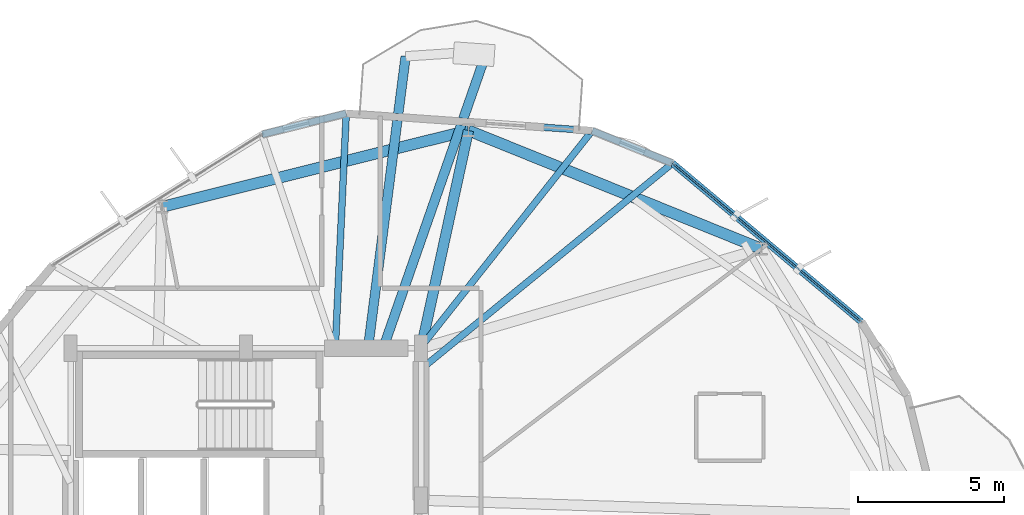
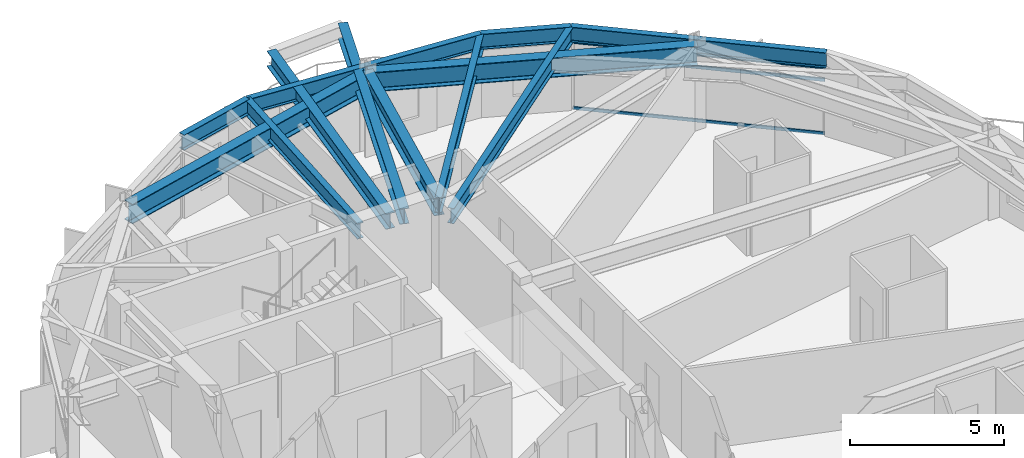
# One storey, part 13 of 22: 12 beams, 3 members, 1 element without a shape of its own.
"""IFC4 building model written with IfcOpenShell, lengths in metres."""

from ifc_helpers import new_model, si_unit, direction, frame, origin, origin_2d, place, context, subcontext, project, spatial, hollow_rectangle, i_section, extrude, material, layer, layer_set, material_profile, profile_set, type_object, element, aggregate, save


model = new_model("IFC4")

# Units and contexts
model_context = context("Model", 3, precision=1e-05, world=origin(), true_north=direction((0.0, 1.0)))
body_context = subcontext(model_context, "Body", "Model", "MODEL_VIEW")
ifc_project = project(units=[si_unit("LENGTHUNIT", "METRE"), si_unit("AREAUNIT", "SQUARE_METRE"), si_unit("VOLUMEUNIT", "CUBIC_METRE"), si_unit("PLANEANGLEUNIT", "RADIAN"), si_unit("MASSUNIT", "GRAM", prefix="KILO")], contexts=[model_context])

# Site, building, storey
site_placement = place(None, origin())
site = spatial("IfcSite", under=ifc_project, at=site_placement, CompositionType="ELEMENT")
building_placement = place(site_placement, origin())
building = spatial("IfcBuilding", under=site, at=building_placement, Name="Soratama Intermodal Tower", CompositionType="ELEMENT")
storey_placement = place(building_placement, frame((0.0, 0.0, 157.0)))
storey = spatial("IfcBuildingStorey", under=building, at=storey_placement, Name="L38", CompositionType="ELEMENT", Elevation=157.0)

# Beams
ifc_material_1 = material(Name="Structural steel ASTM A992 Grade 50", Category="steel")
ifc_material_profile_1 = material_profile(ifc_material_1, i_section(OverallWidth=0.324951171875, OverallDepth=0.615966796875, WebThickness=0.013916015625, FlangeThickness=0.021484375, FilletRadius=0.013916015625, at=origin_2d()), Name="W24X117")
ifc_profile_set_1 = profile_set([ifc_material_profile_1], Name="Structural steel ASTM A992 Grade 50")
beam_type_1 = type_object("IfcBeamType", Name="BM-CANT-W24X117", PredefinedType="BEAM", material=ifc_profile_set_1)
beam_1_placement = place(storey_placement, frame((43.31298828125, 35.0380859375, 2.991943359375), z_axis=(0.329715628572, 0.94408029546, 0.0), x_axis=(-0.94408029546, 0.329715628572, 0.0)))
element("IfcBeam", 1, at=beam_1_placement, inside=storey, type_object=beam_type_1, Name="BM-L38-CANT-1-1", PredefinedType="BEAM", context=body_context, shape_type="SweptSolid", body=[
    extrude(i_section(OverallWidth=0.324951171875, OverallDepth=0.615966796875, WebThickness=0.013916015625, FlangeThickness=0.021484375, FilletRadius=0.013916015625, at=origin_2d()), origin(), (0.0, 0.0, 1.0), 10.74267578125),
])
beam_2_placement = place(storey_placement, frame((42.7880859375, 35.0400390625, 2.991943359375), z_axis=(0.127817754679, 0.9917976717, 0.0), x_axis=(-0.9917976717, 0.127817754679, 0.0)))
element("IfcBeam", 2, at=beam_2_placement, inside=storey, type_object=beam_type_1, Name="BM-L38-CANT-1-2", PredefinedType="BEAM", context=body_context, shape_type="SweptSolid", body=[
    extrude(i_section(OverallWidth=0.324951171875, OverallDepth=0.615966796875, WebThickness=0.013916015625, FlangeThickness=0.021484375, FilletRadius=0.013916015625, at=origin_2d()), origin(), (0.0, 0.0, 1.0), 10.037353515625),
])
ifc_material_2 = material(Name="Structural steel ASTM A992 Grade 50", Category="steel")
ifc_material_profile_2 = material_profile(ifc_material_2, i_section(OverallWidth=0.35498046875, OverallDepth=0.695068359375, WebThickness=0.015380859375, FlangeThickness=0.02490234375, FilletRadius=0.01611328125, at=origin_2d()), Name="W27X146")
ifc_profile_set_2 = profile_set([ifc_material_profile_2], Name="Structural steel ASTM A992 Grade 50")
beam_type_2 = type_object("IfcBeamType", Name="BM-RING-W27X146", PredefinedType="BEAM", material=ifc_profile_set_2)
beam_3_placement = place(storey_placement, frame((44.60009765625, 35.0, 2.952392578125), z_axis=(0.212399095304, 0.977183004515, 0.0), x_axis=(-0.977183004515, 0.212399095304, 0.0)))
element("IfcBeam", 3, at=beam_3_placement, inside=storey, type_object=beam_type_2, Name="BM-L38-RAD-03", PredefinedType="BEAM", context=body_context, shape_type="SweptSolid", body=[
    extrude(i_section(OverallWidth=0.35498046875, OverallDepth=0.695068359375, WebThickness=0.015380859375, FlangeThickness=0.02490234375, FilletRadius=0.01611328125, at=origin_2d()), origin(), (0.0, 0.0, 1.0), 7.631103515625),
])
ifc_material_3 = material(Name="Structural steel ASTM A992 Grade 50", Category="steel")
ifc_material_profile_3 = material_profile(ifc_material_3, i_section(OverallWidth=0.382080078125, OverallDepth=0.779052734375, WebThickness=0.01806640625, FlangeThickness=0.030029296875, FilletRadius=0.01806640625, at=origin_2d()), Name="W30X191")
ifc_profile_set_3 = profile_set([ifc_material_profile_3], Name="Structural steel ASTM A992 Grade 50")
beam_type_3 = type_object("IfcBeamType", Name="BM-RING-W30X191", PredefinedType="BEAM", material=ifc_profile_set_3)
beam_4_placement = place(storey_placement, frame((56.2490234375, 38.406005859375, 2.910400390625), z_axis=(-0.927202491827, 0.374560461275, 0.0), x_axis=(-0.374560461275, -0.927202491827, 0.0)))
element("IfcBeam", 4, at=beam_4_placement, inside=storey, type_object=beam_type_3, Name="BM-L38-RING-02", PredefinedType="BEAM", context=body_context, shape_type="SweptSolid", body=[
    extrude(i_section(OverallWidth=0.382080078125, OverallDepth=0.779052734375, WebThickness=0.01806640625, FlangeThickness=0.030029296875, FilletRadius=0.01806640625, at=origin_2d()), origin(), (0.0, 0.0, 1.0), 10.8154296875),
])
beam_5_placement = place(storey_placement, frame((46.220947265625, 42.45703125, 2.910400390625), z_axis=(-0.970310893227, -0.241861056155, 0.0), x_axis=(0.241861056155, -0.970310893227, 0.0)))
element("IfcBeam", 5, at=beam_5_placement, inside=storey, type_object=beam_type_3, Name="BM-L38-RING-03", PredefinedType="BEAM", context=body_context, shape_type="SweptSolid", body=[
    extrude(i_section(OverallWidth=0.382080078125, OverallDepth=0.779052734375, WebThickness=0.01806640625, FlangeThickness=0.030029296875, FilletRadius=0.01806640625, at=origin_2d()), origin(), (0.0, 0.0, 1.0), 10.81591796875),
])
ifc_material_4 = material(Name="Structural steel ASTM A992 Grade 50", Category="steel")
ifc_material_profile_4 = material_profile(ifc_material_4, i_section(OverallWidth=0.22900390625, OverallDepth=0.612060546875, WebThickness=0.011962890625, FlangeThickness=0.01953125, FilletRadius=0.012939453125, at=origin_2d()), Name="W24X84")
ifc_profile_set_4 = profile_set([ifc_material_profile_4], Name="Structural steel ASTM A992 Grade 50")
beam_type_4 = type_object("IfcBeamType", Name="BM-SPN-W24X84", PredefinedType="SPANDREL", material=ifc_profile_set_4)
beam_6_placement = place(storey_placement, frame((59.6708984375, 35.908935546875, 2.993896484375), z_axis=(-0.765802292686, 0.643076082992, 0.0), x_axis=(-0.643076082992, -0.765802292686, 0.0)))
element("IfcBeam", 6, at=beam_6_placement, inside=storey, type_object=beam_type_4, Name="BS-L38-F01", PredefinedType="SPANDREL", context=body_context, shape_type="SweptSolid", body=[
    extrude(i_section(OverallWidth=0.22900390625, OverallDepth=0.612060546875, WebThickness=0.011962890625, FlangeThickness=0.01953125, FilletRadius=0.012939453125, at=origin_2d()), origin(), (0.0, 0.0, 1.0), 8.440673828125),
])
beam_7_placement = place(storey_placement, frame((53.20703125, 41.3369140625, 2.993896484375), z_axis=(-0.927068075429, 0.374893029437, 0.0), x_axis=(-0.374893029437, -0.927068075429, 0.0)))
element("IfcBeam", 7, at=beam_7_placement, inside=storey, type_object=beam_type_4, Name="BS-L38-CRN01", PredefinedType="SPANDREL", context=body_context, shape_type="SweptSolid", body=[
    extrude(i_section(OverallWidth=0.22900390625, OverallDepth=0.612060546875, WebThickness=0.011962890625, FlangeThickness=0.01953125, FilletRadius=0.012939453125, at=origin_2d()), origin(), (0.0, 0.0, 1.0), 2.96630859375),
])
beam_8_placement = place(storey_placement, frame((50.45703125, 42.448974609375, 2.993896484375), z_axis=(-0.9975370777, 0.070141133537, 0.0), x_axis=(-0.070141133537, -0.9975370777, 0.0)))
element("IfcBeam", 8, at=beam_8_placement, inside=storey, type_object=beam_type_4, Name="BS-L38-F02", PredefinedType="SPANDREL", context=body_context, shape_type="SweptSolid", body=[
    extrude(i_section(OverallWidth=0.22900390625, OverallDepth=0.612060546875, WebThickness=0.011962890625, FlangeThickness=0.01953125, FilletRadius=0.012939453125, at=origin_2d()), origin(), (0.0, 0.0, 1.0), 8.440673828125),
])
beam_9_placement = place(storey_placement, frame((42.037109375, 43.041015625, 2.993896484375), z_axis=(-0.9703599161, -0.241664298617, 0.0), x_axis=(0.241664298617, -0.9703599161, 0.0)))
element("IfcBeam", 9, at=beam_9_placement, inside=storey, type_object=beam_type_4, Name="BS-L38-CRN02", PredefinedType="SPANDREL", context=body_context, shape_type="SweptSolid", body=[
    extrude(i_section(OverallWidth=0.22900390625, OverallDepth=0.612060546875, WebThickness=0.011962890625, FlangeThickness=0.01953125, FilletRadius=0.012939453125, at=origin_2d()), origin(), (0.0, 0.0, 1.0), 2.967041015625),
])
ifc_material_5 = material(Name="Structural steel ASTM A992 Grade 50", Category="steel")
ifc_material_profile_5 = material_profile(ifc_material_5, i_section(OverallWidth=0.22900390625, OverallDepth=0.612060546875, WebThickness=0.011962890625, FlangeThickness=0.01953125, FilletRadius=0.012939453125, at=origin_2d()), Name="W24X84")
ifc_profile_set_5 = profile_set([ifc_material_profile_5], Name="Structural steel ASTM A992 Grade 50")
beam_type_5 = type_object("IfcBeamType", Name="BM-TIE-W24X84", PredefinedType="BEAM", material=ifc_profile_set_5)
beam_10_placement = place(storey_placement, frame((44.631103515625, 34.31103515625, 2.993896484375), z_axis=(0.773549959102, 0.633735323911, 0.0), x_axis=(-0.633735323911, 0.773549959102, 0.0)))
element("IfcBeam", 10, at=beam_10_placement, inside=storey, type_object=beam_type_5, Name="BM-L38-TIE1-01", PredefinedType="BEAM", context=body_context, shape_type="SweptSolid", body=[
    extrude(i_section(OverallWidth=0.22900390625, OverallDepth=0.612060546875, WebThickness=0.011962890625, FlangeThickness=0.01953125, FilletRadius=0.012939453125, at=origin_2d()), origin(), (0.0, 0.0, 1.0), 11.08642578125),
])
beam_11_placement = place(storey_placement, frame((44.5849609375, 35.031005859375, 2.993896484375), z_axis=(0.620671217274, 0.784070940698, 0.0), x_axis=(-0.784070940698, 0.620671217274, 0.0)))
element("IfcBeam", 11, at=beam_11_placement, inside=storey, type_object=beam_type_5, Name="BM-L38-TIE0-02", PredefinedType="BEAM", context=body_context, shape_type="SweptSolid", body=[
    extrude(i_section(OverallWidth=0.22900390625, OverallDepth=0.612060546875, WebThickness=0.011962890625, FlangeThickness=0.01953125, FilletRadius=0.012939453125, at=origin_2d()), origin(), (0.0, 0.0, 1.0), 9.4609375),
])
beam_12_placement = place(storey_placement, frame((41.6640625, 35.0400390625, 2.993896484375), z_axis=(0.046574570933, 0.998914815859, 0.0), x_axis=(-0.998914815859, 0.046574570933, 0.0)))
element("IfcBeam", 12, at=beam_12_placement, inside=storey, type_object=beam_type_5, Name="BM-L38-TIE1-02", PredefinedType="BEAM", context=body_context, shape_type="SweptSolid", body=[
    extrude(i_section(OverallWidth=0.22900390625, OverallDepth=0.612060546875, WebThickness=0.011962890625, FlangeThickness=0.01953125, FilletRadius=0.012939453125, at=origin_2d()), origin(), (0.0, 0.0, 1.0), 8.009765625),
])

# Curtain wall, members
ifc_material_6 = material(Name="Double-glazed aluminium curtain wall", Category="aluminium")
ifc_layer = layer(ifc_material_6, 0.159912109375)
ifc_layer_set = layer_set([ifc_layer], Name="Double-glazed aluminium curtain wall")
curtain_wall_type = type_object("IfcCurtainWallType", Name="CW-SYS-4", PredefinedType="NOTDEFINED", material=ifc_layer_set)
curtain_wall_placement = place(storey_placement, origin())
curtain_wall = element("IfcCurtainWall", 13, at=curtain_wall_placement, inside=storey, type_object=curtain_wall_type, Name="L38 Faceted Curtain Wall F01", PredefinedType="NOTDEFINED")
ifc_material_7 = material(Name="Anodised aluminium AA 6063-T6", Category="aluminium")
ifc_material_profile_6 = material_profile(ifc_material_7, hollow_rectangle(XDim=0.06005859375, YDim=0.1298828125, WallThickness=0.0048828125, InnerFilletRadius=0.0048828125, OuterFilletRadius=0.010009765625, at=origin_2d()), Name="CWT130X60X5")
ifc_profile_set_6 = profile_set([ifc_material_profile_6], Name="Anodised aluminium AA 6063-T6")
member_type = type_object("IfcMemberType", Name="TT-CWT-2", PredefinedType="USERDEFINED", material=ifc_profile_set_6)
member_1_placement = place(storey_placement, frame((59.625, 35.947509765625, 0.030029296875), z_axis=(-0.765820457934, 0.643054450424, 0.0), x_axis=(-0.643054450424, -0.765820457934, 0.0)))
member_1 = element("IfcMember", 14, at=member_1_placement, type_object=member_type, Name="CW-4 transom 1.1", ObjectType="TRANSOM", PredefinedType="USERDEFINED", context=body_context, shape_type="SweptSolid", body=[
    extrude(hollow_rectangle(XDim=0.06005859375, YDim=0.1298828125, WallThickness=0.0048828125, InnerFilletRadius=0.0048828125, OuterFilletRadius=0.010009765625, at=origin_2d()), origin(), (0.0, 0.0, 1.0), 8.320556640625),
])
member_2_placement = place(storey_placement, frame((59.625, 35.947509765625, 2.14990234375), z_axis=(-0.765820457934, 0.643054450424, 0.0), x_axis=(-0.643054450424, -0.765820457934, 0.0)))
member_2 = element("IfcMember", 15, at=member_2_placement, type_object=member_type, Name="CW-4 transom 1.2", ObjectType="TRANSOM", PredefinedType="USERDEFINED", context=body_context, shape_type="SweptSolid", body=[
    extrude(hollow_rectangle(XDim=0.06005859375, YDim=0.1298828125, WallThickness=0.0048828125, InnerFilletRadius=0.0048828125, OuterFilletRadius=0.010009765625, at=origin_2d()), origin(), (0.0, 0.0, 1.0), 8.320556640625),
])
member_3_placement = place(storey_placement, frame((59.625, 35.947509765625, 2.64892578125), z_axis=(-0.765820457934, 0.643054450424, 0.0), x_axis=(-0.643054450424, -0.765820457934, 0.0)))
member_3 = element("IfcMember", 16, at=member_3_placement, type_object=member_type, Name="CW-4 transom 1.3", ObjectType="TRANSOM", PredefinedType="USERDEFINED", context=body_context, shape_type="SweptSolid", body=[
    extrude(hollow_rectangle(XDim=0.06005859375, YDim=0.1298828125, WallThickness=0.0048828125, InnerFilletRadius=0.0048828125, OuterFilletRadius=0.010009765625, at=origin_2d()), origin(), (0.0, 0.0, 1.0), 8.320556640625),
])
aggregate(curtain_wall, [member_1, member_2, member_3])

save(model, "model.ifc")
